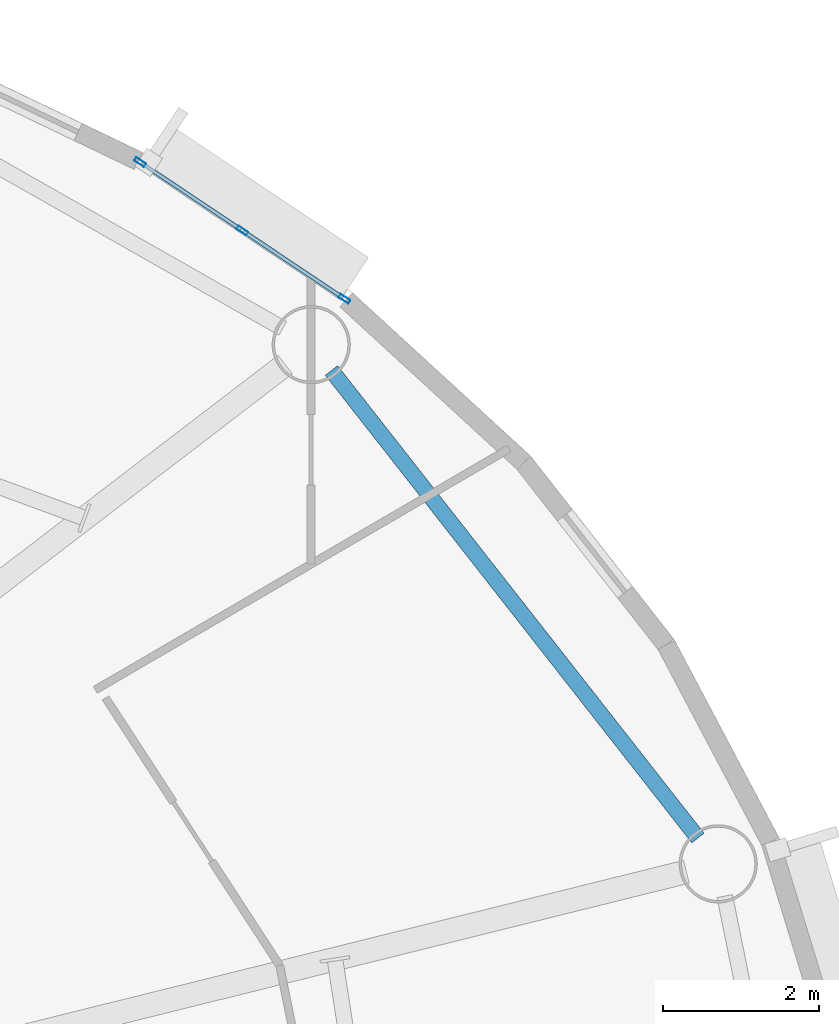
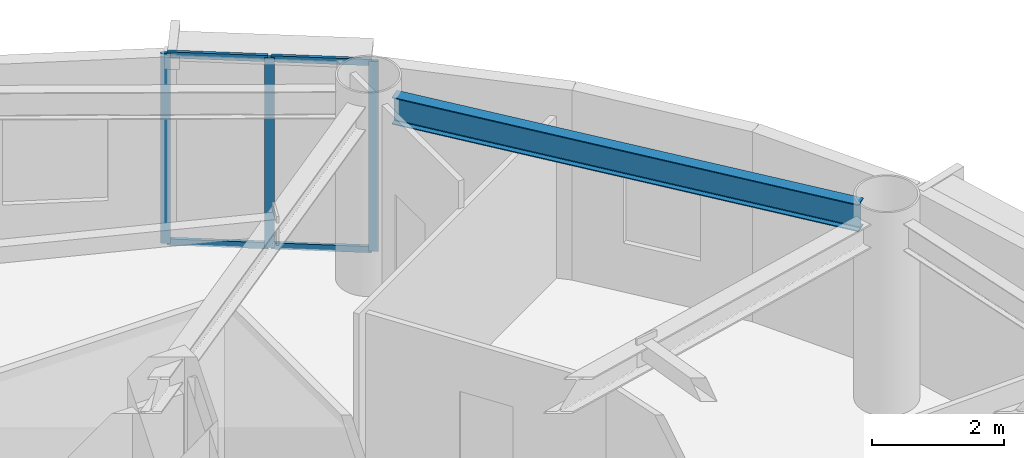
# One storey, part 3 of 17: 7 members, 1 beam, 1 element without a shape of its own.
"""IFC4 building model written with IfcOpenShell, lengths in metres."""

from ifc_helpers import new_model, si_unit, direction, frame, origin, origin_2d, place, context, subcontext, project, spatial, hollow_rectangle, i_section, extrude, source, transform, mapped, material, layer, layer_set, material_profile, profile_set, type_object, element, aggregate, save


model = new_model("IFC4")

# Units and contexts
model_context = context("Model", 3, precision=1e-05, world=origin(), true_north=direction((0.0, 1.0)))
body_context = subcontext(model_context, "Body", "Model", "MODEL_VIEW")
ifc_project = project(units=[si_unit("LENGTHUNIT", "METRE"), si_unit("AREAUNIT", "SQUARE_METRE"), si_unit("VOLUMEUNIT", "CUBIC_METRE"), si_unit("PLANEANGLEUNIT", "RADIAN"), si_unit("MASSUNIT", "GRAM", prefix="KILO")], contexts=[model_context])

# Site, building, storey
site_placement = place(None, origin())
site = spatial("IfcSite", under=ifc_project, at=site_placement, CompositionType="ELEMENT")
building_placement = place(site_placement, origin())
building = spatial("IfcBuilding", under=site, at=building_placement, Name="Linh Dai School and Residence Tower", CompositionType="ELEMENT")
storey_placement = place(building_placement, frame((0.0, 0.0, 310.5)))
storey = spatial("IfcBuildingStorey", under=building, at=storey_placement, Name="L77", CompositionType="ELEMENT", Elevation=310.5)

# Beam
ifc_material_1 = material(Name="Structural Steel S355JR", Category="steel")
ifc_material_profile_1 = material_profile(ifc_material_1, i_section(OverallWidth=0.199951171875, OverallDepth=0.5, WebThickness=0.01025390625, FlangeThickness=0.01611328125, FilletRadius=0.02099609375, at=origin_2d()), Name="IPE 500")
ifc_profile_set_1 = profile_set([ifc_material_profile_1], Name="Structural Steel S355JR")
beam_type = type_object("IfcBeamType", Name="BM-RB50", PredefinedType="BEAM", material=ifc_profile_set_1)
beam_placement = place(storey_placement, frame((56.259521484375, 32.425048828125, 3.25), z_axis=(-0.616882739554, 0.787055071542, 0.0), x_axis=(-0.787055071542, -0.616882739554, 0.0)))
element("IfcBeam", 1, at=beam_placement, inside=storey, type_object=beam_type, Name="L77 Perimeter Elliptical Ring Beam 02", PredefinedType="BEAM", context=body_context, shape_type="SweptSolid", body=[
    extrude(i_section(OverallWidth=0.199951171875, OverallDepth=0.5, WebThickness=0.01025390625, FlangeThickness=0.01611328125, FilletRadius=0.02099609375, at=origin_2d()), origin(), (0.0, 0.0, 1.0), 7.59521484375),
])

# Curtain wall, members
ifc_material_2 = material(Name="Aluminium Anodised Curtain Wall", Category="aluminium")
ifc_layer = layer(ifc_material_2, 0.14990234375)
ifc_layer_set = layer_set([ifc_layer], Name="Aluminium Anodised Curtain Wall")
curtain_wall_type = type_object("IfcCurtainWallType", Name="CW-SYS-4", PredefinedType="USERDEFINED", material=ifc_layer_set)
curtain_wall_placement = place(storey_placement, origin())
curtain_wall = element("IfcCurtainWall", 2, at=curtain_wall_placement, inside=storey, type_object=curtain_wall_type, Name="L77 CW4 Curtain Wall 06", ObjectType="RIBBON CURTAIN WALL", PredefinedType="USERDEFINED")
ifc_material_3 = material(Name="Aluminium Alloy 6063-T6", Category="aluminium")
ifc_material_profile_2 = material_profile(ifc_material_3, hollow_rectangle(XDim=0.052001953125, YDim=0.14990234375, WallThickness=0.00390625, at=origin_2d()), Name="RHS 150x52x4")
ifc_profile_set_2 = profile_set([ifc_material_profile_2], Name="Aluminium Alloy 6063-T6")
member_type_1 = type_object("IfcMemberType", Name="CW-SYS-4-MUL", PredefinedType="MULLION", material=ifc_profile_set_2)
shared_shape_1 = source(origin(), body_context, "Body", "SweptSolid", [
    extrude(hollow_rectangle(XDim=0.052001953125, YDim=0.14990234375, WallThickness=0.00390625, at=origin_2d()), origin(), (0.0, 0.0, 1.0), 3.5),
])
member_1_placement = place(storey_placement, frame((49.126220703125, 41.067138671875, 0.0), z_axis=(0.0, 0.0, 1.0), x_axis=(0.555907926874, 0.831243873264, 0.0)))
member_1 = element("IfcMember", 3, at=member_1_placement, type_object=member_type_1, Name="CW4 mullion 1", PredefinedType="MULLION", context=body_context, shape_type="MappedRepresentation", body=[
    mapped(shared_shape_1, transform((0.0, 0.0, 0.0), x_axis=(1.0, 0.0, 0.0), y_axis=(0.0, 1.0, 0.0), z_axis=(0.0, 0.0, 1.0), scale=1.0)),
])
member_2_placement = place(storey_placement, frame((50.433349609375, 40.19287109375, 0.0), z_axis=(0.0, 0.0, 1.0), x_axis=(0.555907926874, 0.831243873264, 0.0)))
member_2 = element("IfcMember", 4, at=member_2_placement, type_object=member_type_1, Name="CW4 mullion 2", PredefinedType="MULLION", context=body_context, shape_type="MappedRepresentation", body=[
    mapped(shared_shape_1, transform((0.0, 0.0, 0.0), x_axis=(1.0, 0.0, 0.0), y_axis=(0.0, 1.0, 0.0), z_axis=(0.0, 0.0, 1.0), scale=1.0)),
])
member_3_placement = place(storey_placement, frame((51.740478515625, 39.318603515625, 0.0), z_axis=(0.0, 0.0, 1.0), x_axis=(0.555907926874, 0.831243873264, 0.0)))
member_3 = element("IfcMember", 5, at=member_3_placement, type_object=member_type_1, Name="CW4 mullion 3", PredefinedType="MULLION", context=body_context, shape_type="MappedRepresentation", body=[
    mapped(shared_shape_1, transform((0.0, 0.0, 0.0), x_axis=(1.0, 0.0, 0.0), y_axis=(0.0, 1.0, 0.0), z_axis=(0.0, 0.0, 1.0), scale=1.0)),
])
ifc_material_profile_3 = material_profile(ifc_material_3, hollow_rectangle(XDim=0.052001953125, YDim=0.114990234375, WallThickness=0.00390625, at=origin_2d()), Name="RHS 115x52x4")
ifc_profile_set_3 = profile_set([ifc_material_profile_3], Name="Aluminium Alloy 6063-T6")
member_type_2 = type_object("IfcMemberType", Name="CW-SYS-4-TRN", PredefinedType="USERDEFINED", material=ifc_profile_set_3)
shared_shape_2 = source(origin(), body_context, "Body", "SweptSolid", [
    extrude(hollow_rectangle(XDim=0.052001953125, YDim=0.114990234375, WallThickness=0.00390625, at=origin_2d()), origin(), (0.0, 0.0, 1.0), 1.5205078125),
])
member_4_placement = place(storey_placement, frame((49.147705078125, 41.052490234375, 0.02587890625), z_axis=(0.831258962343, -0.555885363653, 0.0), x_axis=(0.555885363653, 0.831258962343, 0.0)))
member_4 = element("IfcMember", 6, at=member_4_placement, type_object=member_type_2, Name="CW4 transom 1.1", ObjectType="TRANSOM", PredefinedType="USERDEFINED", context=body_context, shape_type="MappedRepresentation", body=[
    mapped(shared_shape_2, transform((0.0, 0.0, 0.0), x_axis=(1.0, 0.0, 0.0), y_axis=(0.0, 1.0, 0.0), z_axis=(0.0, 0.0, 1.0), scale=1.0)),
])
member_5_placement = place(storey_placement, frame((49.147705078125, 41.052490234375, 3.47412109375), z_axis=(0.831258962343, -0.555885363653, 0.0), x_axis=(0.555885363653, 0.831258962343, 0.0)))
member_5 = element("IfcMember", 7, at=member_5_placement, type_object=member_type_2, Name="CW4 transom 1.2", ObjectType="TRANSOM", PredefinedType="USERDEFINED", context=body_context, shape_type="MappedRepresentation", body=[
    mapped(shared_shape_2, transform((0.0, 0.0, 0.0), x_axis=(1.0, 0.0, 0.0), y_axis=(0.0, 1.0, 0.0), z_axis=(0.0, 0.0, 1.0), scale=1.0)),
])
member_6_placement = place(storey_placement, frame((50.455078125, 40.178466796875, 0.02587890625), z_axis=(0.831258962343, -0.555885363653, 0.0), x_axis=(0.555885363653, 0.831258962343, 0.0)))
member_6 = element("IfcMember", 8, at=member_6_placement, type_object=member_type_2, Name="CW4 transom 2.1", ObjectType="TRANSOM", PredefinedType="USERDEFINED", context=body_context, shape_type="MappedRepresentation", body=[
    mapped(shared_shape_2, transform((0.0, 0.0, 0.0), x_axis=(1.0, 0.0, 0.0), y_axis=(0.0, 1.0, 0.0), z_axis=(0.0, 0.0, 1.0), scale=1.0)),
])
member_7_placement = place(storey_placement, frame((50.455078125, 40.178466796875, 3.47412109375), z_axis=(0.831258962343, -0.555885363653, 0.0), x_axis=(0.555885363653, 0.831258962343, 0.0)))
member_7 = element("IfcMember", 9, at=member_7_placement, type_object=member_type_2, Name="CW4 transom 2.2", ObjectType="TRANSOM", PredefinedType="USERDEFINED", context=body_context, shape_type="MappedRepresentation", body=[
    mapped(shared_shape_2, transform((0.0, 0.0, 0.0), x_axis=(1.0, 0.0, 0.0), y_axis=(0.0, 1.0, 0.0), z_axis=(0.0, 0.0, 1.0), scale=1.0)),
])
aggregate(curtain_wall, [member_1, member_2, member_3, member_4, member_5, member_6, member_7])

save(model, "model.ifc")
